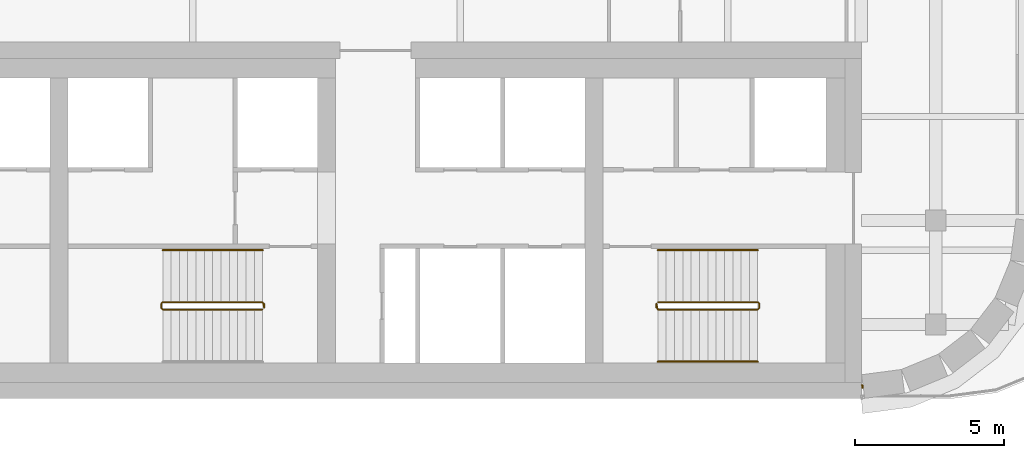
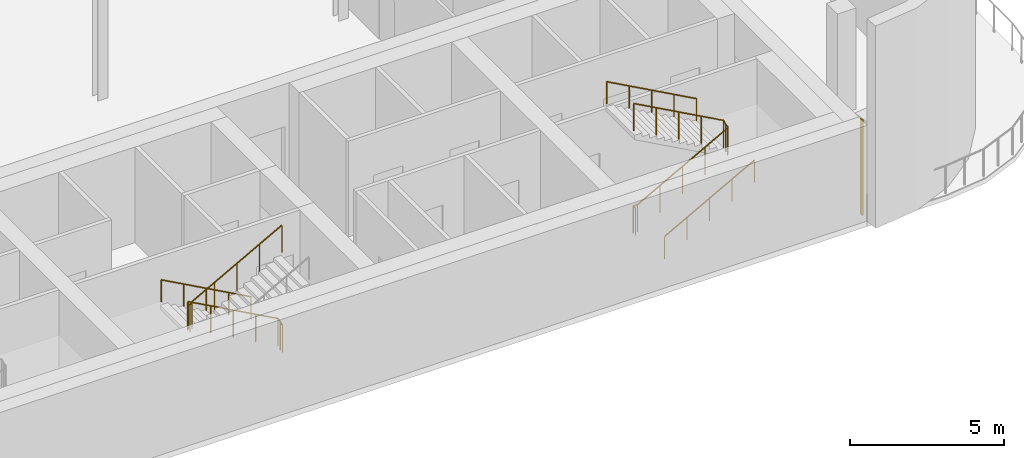
# One storey, part 13 of 15: 5 railings, 1 covering.
"""IFC4 building model written with IfcOpenShell, lengths in metres."""

import ifcopenshell
import ifcopenshell.guid

model = None  # the IFC model being written
_history = None  # IfcOwnerHistory: only IFC2X3 demands one
_inside = {}  # id of a spatial element -> (the spatial element, [elements in it])
_under = {}  # id of a project, library or spatial element -> (it, [spatial elements below it])
_declared = {}  # id of a project -> (the project, [libraries it declares])
_typed = {}  # id of a type object -> (the type object, [elements of that type])
_made_of = {}  # id of a material, layer set ... -> (it, [elements and type objects made of it])


def new_model(schema):
    """Start an empty IFC model of exactly this schema.

    Asked for "IFC4X3", IfcOpenShell would pick the latest addendum, in which some entities
    have other attributes; the version numbers below select the first issue.
    IFC2X3 requires an IfcOwnerHistory on every rooted entity: one is made here for all.
    """
    global model, _history
    if schema == "IFC4X3":
        model = ifcopenshell.file(schema_version=(4, 3, 0, 0))
    else:
        model = ifcopenshell.file(schema=schema)
    _inside.clear()
    _under.clear()
    _declared.clear()
    _typed.clear()
    _made_of.clear()
    _history = None
    if model.schema == "IFC2X3":
        org = make("IfcOrganization", Name="unknown")
        user = make(
            "IfcPersonAndOrganization",
            ThePerson=make("IfcPerson", FamilyName="unknown"),
            TheOrganization=org,
        )
        app = make(
            "IfcApplication",
            ApplicationDeveloper=org,
            Version="unknown",
            ApplicationFullName="unknown",
            ApplicationIdentifier="unknown",
        )
        _history = make(
            "IfcOwnerHistory",
            OwningUser=user,
            OwningApplication=app,
            ChangeAction="ADDED",
            CreationDate=0,
        )
    return model


def make(cls, **values):
    """One entity of the class cls with the attributes given. An attribute that is None is left unset."""
    return model.create_entity(
        cls, **{name: value for name, value in values.items() if value is not None}
    )


def rooted(cls, **values):
    """An entity with a GlobalId (a new one), such as an element, a storey or a relation."""
    return make(cls, GlobalId=ifcopenshell.guid.new(), OwnerHistory=_history, **values)


def si_unit(unit_type, name, prefix=None):
    """IfcSIUnit, for example si_unit("LENGTHUNIT", "METRE", prefix="MILLI")."""
    return make("IfcSIUnit", UnitType=unit_type, Prefix=prefix, Name=name)


def assignment(units):
    """IfcUnitAssignment: the units of a project."""
    return None if units is None else make("IfcUnitAssignment", Units=units)


def point(xyz):
    """IfcCartesianPoint."""
    return None if xyz is None else make("IfcCartesianPoint", Coordinates=xyz)


def direction(xyz):
    """IfcDirection."""
    return None if xyz is None else make("IfcDirection", DirectionRatios=xyz)


def frame(location, z_axis=None, x_axis=None):
    """IfcAxis2Placement3D, a coordinate frame: its origin and axes. An axis left out is left unset."""
    return make(
        "IfcAxis2Placement3D",
        Location=point(location),
        Axis=direction(z_axis),
        RefDirection=direction(x_axis),
    )


def frame_2d(location, x_axis=None):
    """IfcAxis2Placement2D, a coordinate frame in the plane: its origin and x axis."""
    return make(
        "IfcAxis2Placement2D", Location=point(location), RefDirection=direction(x_axis)
    )


def origin():
    """The frame at (0, 0, 0) with its axes left unset."""
    return frame((0.0, 0.0, 0.0))


def origin_2d():
    """The frame at (0, 0) in the plane with its x axis left unset."""
    return frame_2d((0.0, 0.0))


def place(relative_to, where):
    """IfcLocalPlacement: puts the frame where relative to a parent placement (None: the world)."""
    return make(
        "IfcLocalPlacement", PlacementRelTo=relative_to, RelativePlacement=where
    )


def context(
    kind, dimensions, precision=None, world=None, true_north=None, identifier=None
):
    """IfcGeometricRepresentationContext, for example the 3D "Model" context."""
    return make(
        "IfcGeometricRepresentationContext",
        ContextIdentifier=identifier,
        ContextType=kind,
        CoordinateSpaceDimension=dimensions,
        Precision=precision,
        WorldCoordinateSystem=world,
        TrueNorth=true_north,
    )


def subcontext(parent, identifier, kind, view, scale=None):
    """IfcGeometricRepresentationSubContext, for example "Body" below "Model"."""
    return make(
        "IfcGeometricRepresentationSubContext",
        ContextIdentifier=identifier,
        ContextType=kind,
        ParentContext=parent,
        TargetScale=scale,
        TargetView=view,
    )


def project(units=None, contexts=None):
    """IfcProject with its units and contexts."""
    return rooted(
        "IfcProject",
        Name="project",
        RepresentationContexts=contexts,
        UnitsInContext=assignment(units),
    )


def spatial(cls, under=None, at=None, **own):
    """A site, building, storey or space (cls), placed at a placement, below another one or the project."""
    s = rooted(cls, ObjectPlacement=at, **own)
    if under is not None:
        _under.setdefault(under.id(), (under, []))[1].append(s)
    return s


def profile(cls, at=None, kind="AREA", **sizes):
    """A parametric profile (cls). Its sizes go by their IFC names, for example OverallWidth=200.0."""
    return make(cls, ProfileType=kind, Position=at, **sizes)


def rectangle(**sizes):
    """IfcRectangleProfileDef."""
    return profile("IfcRectangleProfileDef", **sizes)


def circle(**sizes):
    """IfcCircleProfileDef."""
    return profile("IfcCircleProfileDef", **sizes)


def extrude(swept, where, along, depth):
    """IfcExtrudedAreaSolid: the profile swept, set in the frame where, extruded along a direction by depth."""
    return make(
        "IfcExtrudedAreaSolid",
        SweptArea=swept,
        Position=where,
        ExtrudedDirection=direction(along),
        Depth=depth,
    )


def shape(context_of_items, identifier, shape_type, items):
    """IfcShapeRepresentation: the items that make up one representation, for example the "Body"."""
    return make(
        "IfcShapeRepresentation",
        ContextOfItems=context_of_items,
        RepresentationIdentifier=identifier,
        RepresentationType=shape_type,
        Items=items,
    )


def material(Name=None, Category=None):
    """IfcMaterial."""
    return make("IfcMaterial", Name=Name, Category=Category)


def layer(
    of_material, thickness, ventilated=None, Name=None, Category=None, Priority=None
):
    """IfcMaterialLayer: one layer of a wall or slab, of a material (None: an air gap)."""
    return make(
        "IfcMaterialLayer",
        Material=of_material,
        LayerThickness=thickness,
        IsVentilated=ventilated,
        Name=Name,
        Category=Category,
        Priority=Priority,
    )


def layer_set(layers, Name=None):
    """IfcMaterialLayerSet."""
    return make("IfcMaterialLayerSet", MaterialLayers=layers, LayerSetName=Name)


def made_of(thing, what):
    """Note that an element or type object is made of a material, layer set ...; save() writes the relation."""
    if what is not None:
        _made_of.setdefault(what.id(), (what, []))[1].append(thing)
    return thing


def type_object(cls, material=None, **own):
    """A type object (cls), such as IfcWallType, which elements share."""
    return made_of(rooted(cls, **own), material)


def element(
    cls,
    number,
    at=None,
    inside=None,
    cuts=None,
    type_object=None,
    material=None,
    context=None,
    identifier="Body",
    shape_type=None,
    held_by="IfcProductDefinitionShape",
    body=None,
    shapes=None,
    **own,
):
    """One element of the class cls, such as IfcWall. Its Tag is "e" and its number.

    at: its placement. inside: the storey or other place that contains it. cuts: it is an
    opening in that element (IfcRelVoidsElement). A single representation is given by context,
    identifier, shape_type and body (its items); several are given by shapes. held_by: the class
    of the entity that holds the representations. save() writes the other relations.
    """
    e = rooted(cls, Tag="e%d" % number, ObjectPlacement=at, **own)
    if body is not None:
        shapes = [shape(context, identifier, shape_type, body)]
    if shapes is not None:
        e.Representation = make(held_by, Representations=shapes)
    if inside is not None:
        _inside.setdefault(inside.id(), (inside, []))[1].append(e)
    if cuts is not None:
        rooted(
            "IfcRelVoidsElement", RelatingBuildingElement=cuts, RelatedOpeningElement=e
        )
    if type_object is not None:
        _typed.setdefault(type_object.id(), (type_object, []))[1].append(e)
    return made_of(e, material)


def aggregate(whole, parts):
    """IfcRelAggregates: a whole, such as a stair, and the parts it consists of."""
    return rooted("IfcRelAggregates", RelatingObject=whole, RelatedObjects=parts)


def save(model, path):
    """Write the relations noted so far, then the file.

    IfcRelAggregates (storeys below a building ...), IfcRelContainedInSpatialStructure (elements
    in a storey), IfcRelDefinesByType, IfcRelAssociatesMaterial and IfcRelDeclares: one each for
    every whole, place, type object, material and project.
    """
    for whole, parts in _under.values():
        aggregate(whole, parts)
    for where, things in _inside.values():
        rooted(
            "IfcRelContainedInSpatialStructure",
            RelatedElements=things,
            RelatingStructure=where,
        )
    for kind, things in _typed.values():
        rooted("IfcRelDefinesByType", RelatedObjects=things, RelatingType=kind)
    for what, things in _made_of.values():
        rooted("IfcRelAssociatesMaterial", RelatedObjects=things, RelatingMaterial=what)
    for by, libraries in _declared.values():
        rooted("IfcRelDeclares", RelatingContext=by, RelatedDefinitions=libraries)
    model.write(path)


model = new_model("IFC4")

# Units and contexts
model_context = context("Model", 3, precision=1e-05, world=origin(), true_north=direction((0.0, 1.0)))
body_context = subcontext(model_context, "Body", "Model", "MODEL_VIEW")
ifc_project = project(units=[si_unit("LENGTHUNIT", "METRE"), si_unit("AREAUNIT", "SQUARE_METRE"), si_unit("VOLUMEUNIT", "CUBIC_METRE"), si_unit("PLANEANGLEUNIT", "RADIAN"), si_unit("MASSUNIT", "GRAM", prefix="KILO")], contexts=[model_context])

# Site, building, storey
site_placement = place(None, origin())
site = spatial("IfcSite", under=ifc_project, at=site_placement, CompositionType="ELEMENT")
building_placement = place(site_placement, origin())
building = spatial("IfcBuilding", under=site, at=building_placement, Name="Zellij Exchange Tower", CompositionType="ELEMENT")
storey_placement = place(building_placement, frame((0.0, 0.0, 284.5)))
storey = spatial("IfcBuildingStorey", under=building, at=storey_placement, Name="L67", CompositionType="ELEMENT", Elevation=284.5)

# Railings
ifc_material_1 = material(Name="Stainless steel", Category="steel")
railing_type_1 = type_object("IfcRailingType", Name="CORE-RG stair guard", PredefinedType="GUARDRAIL", material=ifc_material_1)
railing_1_placement = place(storey_placement, frame((6.89990234375, -10.800048828125, 0.0)))
element("IfcRailing", 1, at=railing_1_placement, inside=storey, type_object=railing_type_1, Name="ST3 stair guard L67", PredefinedType="GUARDRAIL", context=body_context, shape_type="SweptSolid", body=[
    extrude(circle(Radius=0.02392578125, at=origin_2d()), frame((0.0, 0.0, 1.076171875), z_axis=(0.0, -1.0, 0.0), x_axis=(1.0, 0.0, 0.0)), (0.0, 0.0, 1.0), 0.14990234375),
    extrude(circle(Radius=0.02392578125, at=origin_2d()), frame((0.0, -0.14990234375, 1.076171875), z_axis=(-0.193691321961, 0.777613689637, 0.598164376644), x_axis=(-0.970351222016, -0.241699205484, 0.0)), (0.0, 0.0, 1.0), 0.257080078125),
    extrude(circle(Radius=0.02392578125, at=origin_2d()), frame((-0.0498046875, 0.050048828125, 1.22998046875), z_axis=(-0.876421534553, 0.0, 0.481544695509), x_axis=(0.0, -1.0, 0.0)), (0.0, 0.0, 1.0), 3.833984375),
    extrude(circle(Radius=0.02392578125, at=origin_2d()), frame((-3.409912109375, 0.050048828125, 3.076171875), z_axis=(-0.707106781187, -0.707106781187, 0.0), x_axis=(0.707106781187, -0.707106781187, 0.0)), (0.0, 0.0, 1.0), 0.07080078125),
    extrude(circle(Radius=0.02392578125, at=origin_2d()), frame((-3.4599609375, 0.0, 3.076171875), z_axis=(0.0, -1.0, 0.0), x_axis=(1.0, 0.0, 0.0)), (0.0, 0.0, 1.0), 0.14990234375),
    extrude(circle(Radius=0.02392578125, at=origin_2d()), frame((-3.4599609375, -0.14990234375, 3.076171875), z_axis=(0.295599637079, -0.295599637079, 0.908428152975), x_axis=(0.707106781187, 0.707106781187, 0.0)), (0.0, 0.0, 1.0), 0.16943359375),
    extrude(circle(Radius=0.02392578125, at=origin_2d()), frame((-3.409912109375, -0.199951171875, 3.22998046875), z_axis=(0.876421534553, 0.0, 0.481544695509), x_axis=(0.0, 1.0, 0.0)), (0.0, 0.0, 1.0), 3.833984375),
    extrude(circle(Radius=0.02099609375, at=origin_2d()), origin(), (0.0, 0.0, 1.0), 1.052001953125),
    extrude(circle(Radius=0.02099609375, at=origin_2d()), frame((0.0, -0.14990234375, 0.0)), (0.0, 0.0, 1.0), 1.052001953125),
    extrude(circle(Radius=0.02099609375, at=origin_2d()), frame((-0.0498046875, 0.050048828125, 0.15380859375)), (0.0, 0.0, 1.0), 1.052001953125),
    extrude(circle(Radius=0.02099609375, at=origin_2d()), frame((-0.889892578125, 0.050048828125, 0.615234375)), (0.0, 0.0, 1.0), 1.052001953125),
    extrude(circle(Radius=0.02099609375, at=origin_2d()), frame((-1.72998046875, 0.050048828125, 1.076904296875)), (0.0, 0.0, 1.0), 1.052001953125),
    extrude(circle(Radius=0.02099609375, at=origin_2d()), frame((-2.56982421875, 0.050048828125, 1.53857421875)), (0.0, 0.0, 1.0), 1.052001953125),
    extrude(circle(Radius=0.02099609375, at=origin_2d()), frame((-3.409912109375, 0.050048828125, 2.0)), (0.0, 0.0, 1.0), 1.052001953125),
    extrude(circle(Radius=0.02099609375, at=origin_2d()), frame((-3.4599609375, 0.0, 2.0)), (0.0, 0.0, 1.0), 1.052001953125),
    extrude(circle(Radius=0.02099609375, at=origin_2d()), frame((-3.4599609375, -0.14990234375, 2.0)), (0.0, 0.0, 1.0), 1.052001953125),
    extrude(circle(Radius=0.02099609375, at=origin_2d()), frame((-3.409912109375, -0.199951171875, 2.15380859375)), (0.0, 0.0, 1.0), 1.052001953125),
    extrude(circle(Radius=0.02099609375, at=origin_2d()), frame((-2.56982421875, -0.199951171875, 2.615234375)), (0.0, 0.0, 1.0), 1.052001953125),
    extrude(circle(Radius=0.02099609375, at=origin_2d()), frame((-1.72998046875, -0.199951171875, 3.076904296875)), (0.0, 0.0, 1.0), 1.052001953125),
    extrude(circle(Radius=0.02099609375, at=origin_2d()), frame((-0.889892578125, -0.199951171875, 3.53857421875)), (0.0, 0.0, 1.0), 1.052001953125),
    extrude(circle(Radius=0.02099609375, at=origin_2d()), frame((-0.0498046875, -0.199951171875, 4.0)), (0.0, 0.0, 1.0), 1.052001953125),
])
railing_2_placement = place(storey_placement, frame((20.10009765625, -10.949951171875, 0.0)))
element("IfcRailing", 2, at=railing_2_placement, inside=storey, type_object=railing_type_1, Name="ST4 stair guard L67", PredefinedType="GUARDRAIL", context=body_context, shape_type="SweptSolid", body=[
    extrude(circle(Radius=0.02392578125, at=origin_2d()), frame((0.0, 0.0, 1.076171875), z_axis=(0.0, 1.0, 0.0), x_axis=(-1.0, 0.0, 0.0)), (0.0, 0.0, 1.0), 0.14990234375),
    extrude(circle(Radius=0.02392578125, at=origin_2d()), frame((0.0, 0.14990234375, 1.076171875), z_axis=(0.193691321961, -0.777613689637, 0.598164376644), x_axis=(0.970351222016, 0.241699205484, 0.0)), (0.0, 0.0, 1.0), 0.257080078125),
    extrude(circle(Radius=0.02392578125, at=origin_2d()), frame((0.0498046875, -0.050048828125, 1.22998046875), z_axis=(0.876421534553, 0.0, 0.481544695509), x_axis=(0.0, 1.0, 0.0)), (0.0, 0.0, 1.0), 3.833984375),
    extrude(circle(Radius=0.02392578125, at=origin_2d()), frame((3.409912109375, -0.050048828125, 3.076171875), z_axis=(0.707106781187, 0.707106781187, 0.0), x_axis=(-0.707106781187, 0.707106781187, 0.0)), (0.0, 0.0, 1.0), 0.07080078125),
    extrude(circle(Radius=0.02392578125, at=origin_2d()), frame((3.4599609375, 0.0, 3.076171875), z_axis=(0.0, 1.0, 0.0), x_axis=(-1.0, 0.0, 0.0)), (0.0, 0.0, 1.0), 0.14990234375),
    extrude(circle(Radius=0.02392578125, at=origin_2d()), frame((3.4599609375, 0.14990234375, 3.076171875), z_axis=(-0.295599637079, 0.295599637079, 0.908428152975), x_axis=(-0.707106781187, -0.707106781187, 0.0)), (0.0, 0.0, 1.0), 0.16943359375),
    extrude(circle(Radius=0.02392578125, at=origin_2d()), frame((3.409912109375, 0.199951171875, 3.22998046875), z_axis=(-0.876421534553, 0.0, 0.481544695509), x_axis=(0.0, -1.0, 0.0)), (0.0, 0.0, 1.0), 3.833984375),
    extrude(circle(Radius=0.02099609375, at=origin_2d()), origin(), (0.0, 0.0, 1.0), 1.052001953125),
    extrude(circle(Radius=0.02099609375, at=origin_2d()), frame((0.0, 0.14990234375, 0.0)), (0.0, 0.0, 1.0), 1.052001953125),
    extrude(circle(Radius=0.02099609375, at=origin_2d()), frame((0.0498046875, -0.050048828125, 0.15380859375)), (0.0, 0.0, 1.0), 1.052001953125),
    extrude(circle(Radius=0.02099609375, at=origin_2d()), frame((0.889892578125, -0.050048828125, 0.615234375)), (0.0, 0.0, 1.0), 1.052001953125),
    extrude(circle(Radius=0.02099609375, at=origin_2d()), frame((1.72998046875, -0.050048828125, 1.076904296875)), (0.0, 0.0, 1.0), 1.052001953125),
    extrude(circle(Radius=0.02099609375, at=origin_2d()), frame((2.56982421875, -0.050048828125, 1.53857421875)), (0.0, 0.0, 1.0), 1.052001953125),
    extrude(circle(Radius=0.02099609375, at=origin_2d()), frame((3.409912109375, -0.050048828125, 2.0)), (0.0, 0.0, 1.0), 1.052001953125),
    extrude(circle(Radius=0.02099609375, at=origin_2d()), frame((3.4599609375, 0.0, 2.0)), (0.0, 0.0, 1.0), 1.052001953125),
    extrude(circle(Radius=0.02099609375, at=origin_2d()), frame((3.4599609375, 0.14990234375, 2.0)), (0.0, 0.0, 1.0), 1.052001953125),
    extrude(circle(Radius=0.02099609375, at=origin_2d()), frame((3.409912109375, 0.199951171875, 2.15380859375)), (0.0, 0.0, 1.0), 1.052001953125),
    extrude(circle(Radius=0.02099609375, at=origin_2d()), frame((2.56982421875, 0.199951171875, 2.615234375)), (0.0, 0.0, 1.0), 1.052001953125),
    extrude(circle(Radius=0.02099609375, at=origin_2d()), frame((1.72998046875, 0.199951171875, 3.076904296875)), (0.0, 0.0, 1.0), 1.052001953125),
    extrude(circle(Radius=0.02099609375, at=origin_2d()), frame((0.889892578125, 0.199951171875, 3.53857421875)), (0.0, 0.0, 1.0), 1.052001953125),
    extrude(circle(Radius=0.02099609375, at=origin_2d()), frame((0.0498046875, 0.199951171875, 4.0)), (0.0, 0.0, 1.0), 1.052001953125),
])
railing_type_2 = type_object("IfcRailingType", Name="CORE-RH stair handrail", PredefinedType="HANDRAIL", material=ifc_material_1)
railing_3_placement = place(storey_placement, frame((6.85009765625, -9.0, 0.15380859375)))
element("IfcRailing", 3, at=railing_3_placement, inside=storey, type_object=railing_type_2, Name="ST3 stair handrail L67", PredefinedType="HANDRAIL", context=body_context, shape_type="SweptSolid", body=[
    extrude(circle(Radius=0.02392578125, at=origin_2d()), frame((0.0, 0.0, 0.8759765625), z_axis=(-0.876421534553, 0.0, 0.481544695509), x_axis=(0.0, -1.0, 0.0)), (0.0, 0.0, 1.0), 3.833984375),
    extrude(circle(Radius=0.02099609375, at=origin_2d()), origin(), (0.0, 0.0, 1.0), 0.851806640625),
    extrude(circle(Radius=0.02099609375, at=origin_2d()), frame((-0.840087890625, 0.0, 0.46142578125)), (0.0, 0.0, 1.0), 0.851806640625),
    extrude(circle(Radius=0.02099609375, at=origin_2d()), frame((-1.68017578125, 0.0, 0.923095703125)), (0.0, 0.0, 1.0), 0.851806640625),
    extrude(circle(Radius=0.02099609375, at=origin_2d()), frame((-2.52001953125, 0.0, 1.384765625)), (0.0, 0.0, 1.0), 0.851806640625),
    extrude(circle(Radius=0.02099609375, at=origin_2d()), frame((-3.360107421875, 0.0, 1.84619140625)), (0.0, 0.0, 1.0), 0.851806640625),
])
railing_4_placement = place(storey_placement, frame((20.14990234375, -12.75, 0.15380859375)))
element("IfcRailing", 4, at=railing_4_placement, inside=storey, type_object=railing_type_2, Name="ST4 stair handrail L67", PredefinedType="HANDRAIL", context=body_context, shape_type="SweptSolid", body=[
    extrude(circle(Radius=0.02392578125, at=origin_2d()), frame((0.0, 0.0, 0.8759765625), z_axis=(0.876421534553, 0.0, 0.481544695509), x_axis=(0.0, 1.0, 0.0)), (0.0, 0.0, 1.0), 3.833984375),
    extrude(circle(Radius=0.02099609375, at=origin_2d()), origin(), (0.0, 0.0, 1.0), 0.851806640625),
    extrude(circle(Radius=0.02099609375, at=origin_2d()), frame((0.840087890625, 0.0, 0.46142578125)), (0.0, 0.0, 1.0), 0.851806640625),
    extrude(circle(Radius=0.02099609375, at=origin_2d()), frame((1.68017578125, 0.0, 0.923095703125)), (0.0, 0.0, 1.0), 0.851806640625),
    extrude(circle(Radius=0.02099609375, at=origin_2d()), frame((2.52001953125, 0.0, 1.384765625)), (0.0, 0.0, 1.0), 0.851806640625),
    extrude(circle(Radius=0.02099609375, at=origin_2d()), frame((3.360107421875, 0.0, 1.84619140625)), (0.0, 0.0, 1.0), 0.851806640625),
])
railing_5_placement = place(storey_placement, frame((23.510009765625, -9.0, 2.15380859375)))
element("IfcRailing", 5, at=railing_5_placement, inside=storey, type_object=railing_type_2, Name="ST4 stair handrail L67", PredefinedType="HANDRAIL", context=body_context, shape_type="SweptSolid", body=[
    extrude(circle(Radius=0.02392578125, at=origin_2d()), frame((0.0, 0.0, 0.8759765625), z_axis=(-0.876421534553, 0.0, 0.481544695509), x_axis=(0.0, -1.0, 0.0)), (0.0, 0.0, 1.0), 3.833984375),
    extrude(circle(Radius=0.02099609375, at=origin_2d()), origin(), (0.0, 0.0, 1.0), 0.851806640625),
    extrude(circle(Radius=0.02099609375, at=origin_2d()), frame((-0.840087890625, 0.0, 0.46142578125)), (0.0, 0.0, 1.0), 0.851806640625),
    extrude(circle(Radius=0.02099609375, at=origin_2d()), frame((-1.68017578125, 0.0, 0.923095703125)), (0.0, 0.0, 1.0), 0.851806640625),
    extrude(circle(Radius=0.02099609375, at=origin_2d()), frame((-2.52001953125, 0.0, 1.384765625)), (0.0, 0.0, 1.0), 0.851806640625),
    extrude(circle(Radius=0.02099609375, at=origin_2d()), frame((-3.360107421875, 0.0, 1.84619140625)), (0.0, 0.0, 1.0), 0.851806640625),
])

# Covering
ifc_material_2 = material(Name="Limestone cladding", Category="masonry")
ifc_layer = layer(ifc_material_2, 0.1201171875)
ifc_layer_set = layer_set([ifc_layer], Name="Limestone cladding")
covering_type = type_object("IfcCoveringType", Name="ENV-CV18 Glazing closer 120", PredefinedType="CLADDING", material=ifc_layer_set)
covering_placement = place(storey_placement, frame((27.033447265625, -13.592041015625, 0.0), z_axis=(0.0, 0.0, 1.0), x_axis=(-0.991448505966, -0.130498505806, 0.0)))
element("IfcCovering", 6, at=covering_placement, inside=storey, type_object=covering_type, Name="Glazing closer", PredefinedType="CLADDING", context=body_context, shape_type="SweptSolid", body=[
    extrude(rectangle(XDim=0.052001953125, YDim=0.1201171875, at=origin_2d()), origin(), (0.0, 0.0, 1.0), 3.780029296875),
])

save(model, "model.ifc")
